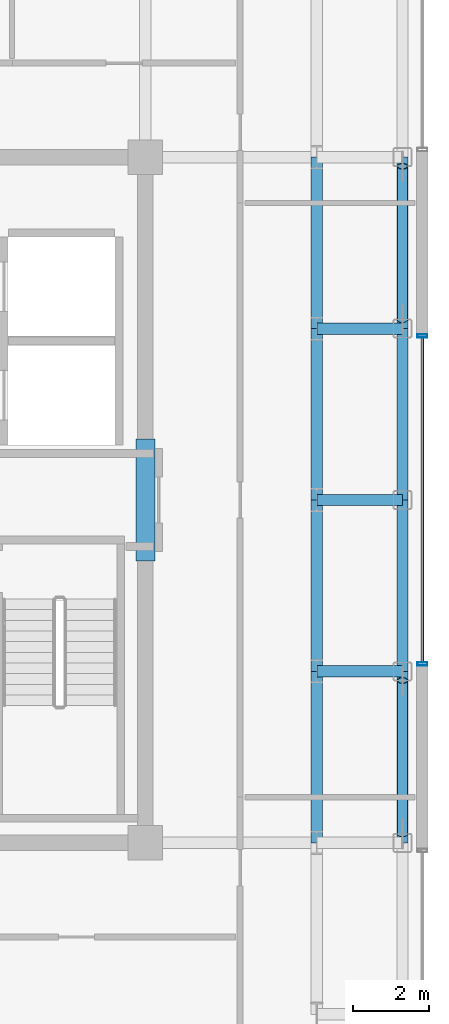
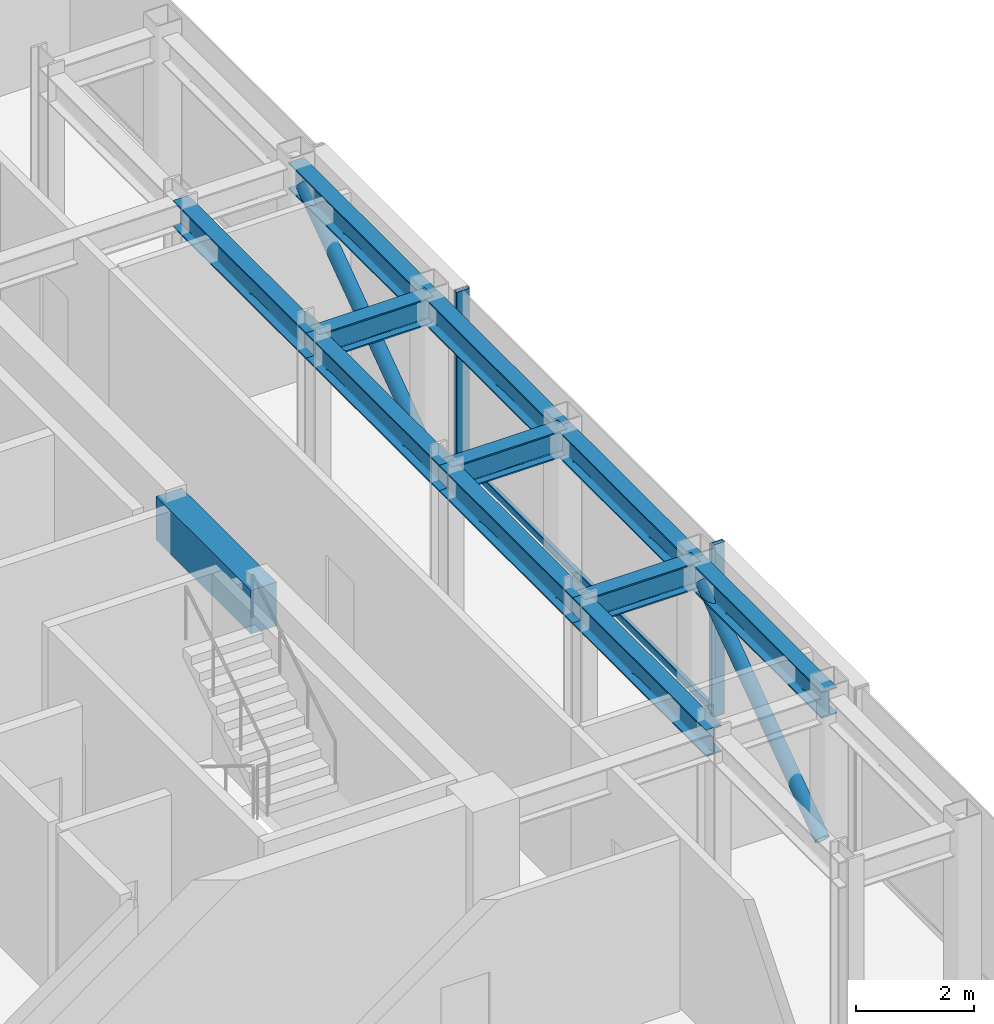
# One storey, part 6 of 16: 12 beams, 5 members, 1 element without a shape of its own.
"""IFC4 building model written with IfcOpenShell, lengths in metres."""

from ifc_helpers import new_model, si_unit, direction, frame, origin, origin_2d, place, context, subcontext, project, spatial, rectangle, hollow_rectangle, hollow_circle, i_section, extrude, source, transform, mapped, material, layer, layer_set, material_profile, profile_set, type_object, element, aggregate, save


model = new_model("IFC4")

# Units and contexts
model_context = context("Model", 3, precision=1e-05, world=origin(), true_north=direction((0.0, 1.0)))
body_context = subcontext(model_context, "Body", "Model", "MODEL_VIEW")
ifc_project = project(units=[si_unit("LENGTHUNIT", "METRE"), si_unit("AREAUNIT", "SQUARE_METRE"), si_unit("VOLUMEUNIT", "CUBIC_METRE"), si_unit("PLANEANGLEUNIT", "RADIAN"), si_unit("MASSUNIT", "GRAM", prefix="KILO")], contexts=[model_context])

# Site, building, storey
site_placement = place(None, origin())
site = spatial("IfcSite", under=ifc_project, at=site_placement, CompositionType="ELEMENT")
building_placement = place(site_placement, origin())
building = spatial("IfcBuilding", under=site, at=building_placement, Name="Nefas-Gora Pilgrimage Tower", CompositionType="ELEMENT")
storey_placement = place(building_placement, frame((0.0, 0.0, 322.39990234375)))
storey = spatial("IfcBuildingStorey", under=building, at=storey_placement, Name="L81", CompositionType="ELEMENT", Elevation=322.39990234375)

# Beam
ifc_material_1 = material(Name="Concrete C50/60", Category="concrete")
ifc_material_profile_1 = material_profile(ifc_material_1, rectangle(XDim=0.5, YDim=0.89990234375, at=origin_2d()), Name="RC 500x900")
ifc_profile_set_1 = profile_set([ifc_material_profile_1], Name="Concrete C50/60")
beam_type_1 = type_object("IfcBeamType", Name="BM-LIN-RC900", PredefinedType="LINTEL", material=ifc_profile_set_1)
shared_shape_1 = source(origin(), body_context, "Body", "SweptSolid", [
    extrude(rectangle(XDim=0.5, YDim=0.89990234375, at=origin_2d()), origin(), (0.0, 0.0, 1.0), 3.2001953125),
])
beam_placement = place(storey_placement, frame((11.25, -1.60009765625, 3.10009765625), z_axis=(0.0, 1.0, 0.0), x_axis=(-1.0, 0.0, 0.0)))
element("IfcBeam", 1, at=beam_placement, inside=storey, type_object=beam_type_1, Name="L81 Core Coupling Lintel Beam E", PredefinedType="LINTEL", context=body_context, shape_type="MappedRepresentation", body=[
    mapped(shared_shape_1, transform((0.0, 0.0, 0.0), x_axis=(1.0, 0.0, 0.0), y_axis=(0.0, 1.0, 0.0), z_axis=(0.0, 0.0, 1.0), scale=1.0)),
])

# Members
ifc_material_2 = material(Name="Steel S355", Category="steel")
ifc_material_profile_2 = material_profile(ifc_material_2, hollow_circle(Radius=0.136474609375, WallThickness=0.01611328125, at=origin_2d()), Name="CHS 273x16")
ifc_profile_set_2 = profile_set([ifc_material_profile_2], Name="Steel S355")
member_type_1 = type_object("IfcMemberType", Name="MEM-TUBE-273", PredefinedType="BRACE", material=ifc_profile_set_2)
shared_shape_2 = source(origin(), body_context, "Body", "SweptSolid", [
    extrude(hollow_circle(Radius=0.136474609375, WallThickness=0.01611328125, at=origin_2d()), origin(), (0.0, 0.0, 1.0), 4.947998046875),
])
for number, where, z_axis, x_axis, name in (
    (2, (18.0, -8.761962890625, 0.3203125), (0.0, 0.813239767156, 0.581928759485), (-1.0, 0.0, 0.0), "L81 Perimeter Tube Diagonal Brace E1"),
    (3, (18.0, 4.738037109375, 0.3203125), (0.0, 0.813239767156, 0.581928759485), (-1.0, 0.0, 0.0), "L81 Perimeter Tube Diagonal Brace E2"),
):
    element("IfcMember", number, at=place(storey_placement, frame(where, z_axis=z_axis, x_axis=x_axis)), inside=storey, type_object=member_type_1, Name=name, PredefinedType="BRACE", context=body_context, shape_type="MappedRepresentation", body=[
        mapped(shared_shape_2, transform((0.0, 0.0, 0.0), x_axis=(1.0, 0.0, 0.0), y_axis=(0.0, 1.0, 0.0), z_axis=(0.0, 0.0, 1.0), scale=1.0)),
    ])

# Beams
ifc_material_profile_3 = material_profile(ifc_material_2, i_section(OverallWidth=0.300048828125, OverallDepth=0.550048828125, WebThickness=0.014892578125, FlangeThickness=0.029052734375, FilletRadius=0.027099609375, at=origin_2d()), Name="HEB 550")
ifc_profile_set_3 = profile_set([ifc_material_profile_3], Name="Steel S355")
beam_type_2 = type_object("IfcBeamType", Name="BM-SPN-HEB400", PredefinedType="SPANDREL", material=ifc_profile_set_3)
shared_shape_3 = source(origin(), body_context, "Body", "SweptSolid", [
    extrude(i_section(OverallWidth=0.300048828125, OverallDepth=0.550048828125, WebThickness=0.014892578125, FlangeThickness=0.029052734375, FilletRadius=0.027099609375, at=origin_2d()), origin(), (0.0, 0.0, 1.0), 4.5),
])
for number, where, z_axis, x_axis, name in (
    (4, (18.0, -9.0, 3.275146484375), (0.0, 1.0, 0.0), (-1.0, 0.0, 0.0), "L81 SP-04 beam"),
    (5, (18.0, -4.5, 3.275146484375), (0.0, 1.0, 0.0), (-1.0, 0.0, 0.0), "L81 SP-04 beam"),
    (6, (18.0, 0.0, 3.275146484375), (0.0, 1.0, 0.0), (-1.0, 0.0, 0.0), "L81 SP-04 beam"),
    (7, (18.0, 4.5, 3.275146484375), (0.0, 1.0, 0.0), (-1.0, 0.0, 0.0), "L81 SP-04 beam"),
):
    element("IfcBeam", number, at=place(storey_placement, frame(where, z_axis=z_axis, x_axis=x_axis)), inside=storey, type_object=beam_type_2, Name=name, PredefinedType="SPANDREL", context=body_context, shape_type="MappedRepresentation", body=[
        mapped(shared_shape_3, transform((0.0, 0.0, 0.0), x_axis=(1.0, 0.0, 0.0), y_axis=(0.0, 1.0, 0.0), z_axis=(0.0, 0.0, 1.0), scale=1.0)),
    ])
ifc_material_profile_4 = material_profile(ifc_material_2, i_section(OverallWidth=0.300048828125, OverallDepth=0.550048828125, WebThickness=0.014892578125, FlangeThickness=0.029052734375, FilletRadius=0.027099609375, at=origin_2d()), Name="HEB 550")
ifc_profile_set_4 = profile_set([ifc_material_profile_4], Name="Steel S355")
beam_type_3 = type_object("IfcBeamType", Name="BM-GIR-HEB550", PredefinedType="BEAM", material=ifc_profile_set_4)
shared_shape_4 = source(origin(), body_context, "Body", "SweptSolid", [
    extrude(i_section(OverallWidth=0.300048828125, OverallDepth=0.550048828125, WebThickness=0.014892578125, FlangeThickness=0.029052734375, FilletRadius=0.027099609375, at=origin_2d()), origin(), (0.0, 0.0, 1.0), 4.5),
])
for number, where, z_axis, x_axis, name in (
    (8, (15.75, -9.0, 3.275146484375), (0.0, 1.0, 0.0), (-1.0, 0.0, 0.0), "L81 G-05 beam"),
    (9, (15.75, -4.5, 3.275146484375), (0.0, 1.0, 0.0), (-1.0, 0.0, 0.0), "L81 G-05 beam"),
    (10, (15.75, 0.0, 3.275146484375), (0.0, 1.0, 0.0), (-1.0, 0.0, 0.0), "L81 G-05 beam"),
    (11, (15.75, 4.5, 3.275146484375), (0.0, 1.0, 0.0), (-1.0, 0.0, 0.0), "L81 G-05 beam"),
):
    element("IfcBeam", number, at=place(storey_placement, frame(where, z_axis=z_axis, x_axis=x_axis)), inside=storey, type_object=beam_type_3, Name=name, PredefinedType="BEAM", context=body_context, shape_type="MappedRepresentation", body=[
        mapped(shared_shape_4, transform((0.0, 0.0, 0.0), x_axis=(1.0, 0.0, 0.0), y_axis=(0.0, 1.0, 0.0), z_axis=(0.0, 0.0, 1.0), scale=1.0)),
    ])
shared_shape_5 = source(origin(), body_context, "Body", "SweptSolid", [
    extrude(i_section(OverallWidth=0.300048828125, OverallDepth=0.550048828125, WebThickness=0.014892578125, FlangeThickness=0.029052734375, FilletRadius=0.027099609375, at=origin_2d()), origin(), (0.0, 0.0, 1.0), 2.25),
])
for number, where, z_axis, x_axis, name in (
    (12, (15.75, -4.5, 3.275146484375), (1.0, 0.0, 0.0), (0.0, 1.0, 0.0), "L81 G-05 beam"),
    (13, (15.75, 0.0, 3.275146484375), (1.0, 0.0, 0.0), (0.0, 1.0, 0.0), "L81 G-05 beam"),
    (14, (15.75, 4.5, 3.275146484375), (1.0, 0.0, 0.0), (0.0, 1.0, 0.0), "L81 G-05 beam"),
):
    element("IfcBeam", number, at=place(storey_placement, frame(where, z_axis=z_axis, x_axis=x_axis)), inside=storey, type_object=beam_type_3, Name=name, PredefinedType="BEAM", context=body_context, shape_type="MappedRepresentation", body=[
        mapped(shared_shape_5, transform((0.0, 0.0, 0.0), x_axis=(1.0, 0.0, 0.0), y_axis=(0.0, 1.0, 0.0), z_axis=(0.0, 0.0, 1.0), scale=1.0)),
    ])

# Curtain wall, members
ifc_material_3 = material(Name="Dark ceramic-fritted solar-control aluminium-glass curtain wall", Category="aluminium")
ifc_layer = layer(ifc_material_3, 0.219970703125)
ifc_layer_set = layer_set([ifc_layer], Name="Dark ceramic-fritted solar-control aluminium-glass curtain wall")
curtain_wall_type = type_object("IfcCurtainWallType", Name="CW-SYS-4", PredefinedType="NOTDEFINED", material=ifc_layer_set)
curtain_wall_placement = place(storey_placement, origin())
curtain_wall = element("IfcCurtainWall", 15, at=curtain_wall_placement, inside=storey, type_object=curtain_wall_type, Name="L81 Unitised Curtain Wall CW4", PredefinedType="NOTDEFINED")
ifc_material_4 = material(Name="Anodised architectural aluminium", Category="aluminium")
ifc_material_profile_5 = material_profile(ifc_material_4, hollow_rectangle(XDim=0.080078125, YDim=0.159912109375, WallThickness=0.00439453125, InnerFilletRadius=0.00439453125, OuterFilletRadius=0.009033203125, at=origin_2d()), Name="ALU TRANSOM 80x160")
ifc_profile_set_5 = profile_set([ifc_material_profile_5], Name="Anodised architectural aluminium")
member_type_2 = type_object("IfcMemberType", Name="CWM-TRN-4", PredefinedType="USERDEFINED", material=ifc_profile_set_5)
shared_shape_6 = source(origin(), body_context, "Body", "SweptSolid", [
    extrude(hollow_rectangle(XDim=0.080078125, YDim=0.159912109375, WallThickness=0.00439453125, InnerFilletRadius=0.00439453125, OuterFilletRadius=0.009033203125, at=origin_2d()), origin(), (0.0, 0.0, 1.0), 8.52001953125),
])
member_1_placement = place(storey_placement, frame((18.52001953125, -4.260009765625, 0.050048828125), z_axis=(0.0, 1.0, 0.0), x_axis=(-1.0, 0.0, 0.0)))
member_1 = element("IfcMember", 16, at=member_1_placement, type_object=member_type_2, Name="CW4 Spandrel Transom", ObjectType="TRANSOM", PredefinedType="USERDEFINED", context=body_context, shape_type="MappedRepresentation", body=[
    mapped(shared_shape_6, transform((0.0, 0.0, 0.0), x_axis=(1.0, 0.0, 0.0), y_axis=(0.0, 1.0, 0.0), z_axis=(0.0, 0.0, 1.0), scale=1.0)),
])
ifc_material_profile_6 = material_profile(ifc_material_4, hollow_rectangle(XDim=0.090087890625, YDim=0.260009765625, WallThickness=0.006103515625, InnerFilletRadius=0.006103515625, OuterFilletRadius=0.011962890625, at=origin_2d()), Name="ALU MULLION 90x260")
ifc_profile_set_6 = profile_set([ifc_material_profile_6], Name="Anodised architectural aluminium")
member_type_3 = type_object("IfcMemberType", Name="CWM-MUL-4", PredefinedType="MULLION", material=ifc_profile_set_6)
shared_shape_7 = source(origin(), body_context, "Body", "SweptSolid", [
    extrude(hollow_rectangle(XDim=0.090087890625, YDim=0.260009765625, WallThickness=0.006103515625, InnerFilletRadius=0.006103515625, OuterFilletRadius=0.011962890625, at=origin_2d()), origin(), (0.0, 0.0, 1.0), 3.550048828125),
])
member_2_placement = place(storey_placement, frame((18.52001953125, -4.304931640625, 0.0), z_axis=(0.0, 0.0, 1.0), x_axis=(0.0, 1.0, 0.0)))
member_2 = element("IfcMember", 17, at=member_2_placement, type_object=member_type_3, Name="CW4 Mullion 1", PredefinedType="MULLION", context=body_context, shape_type="MappedRepresentation", body=[
    mapped(shared_shape_7, transform((0.0, 0.0, 0.0), x_axis=(1.0, 0.0, 0.0), y_axis=(0.0, 1.0, 0.0), z_axis=(0.0, 0.0, 1.0), scale=1.0)),
])
member_3_placement = place(storey_placement, frame((18.52001953125, 4.304931640625, 0.0), z_axis=(0.0, 0.0, 1.0), x_axis=(0.0, 1.0, 0.0)))
member_3 = element("IfcMember", 18, at=member_3_placement, type_object=member_type_3, Name="CW4 Mullion 2", PredefinedType="MULLION", context=body_context, shape_type="MappedRepresentation", body=[
    mapped(shared_shape_7, transform((0.0, 0.0, 0.0), x_axis=(1.0, 0.0, 0.0), y_axis=(0.0, 1.0, 0.0), z_axis=(0.0, 0.0, 1.0), scale=1.0)),
])
aggregate(curtain_wall, [member_2, member_3, member_1])

save(model, "model.ifc")
